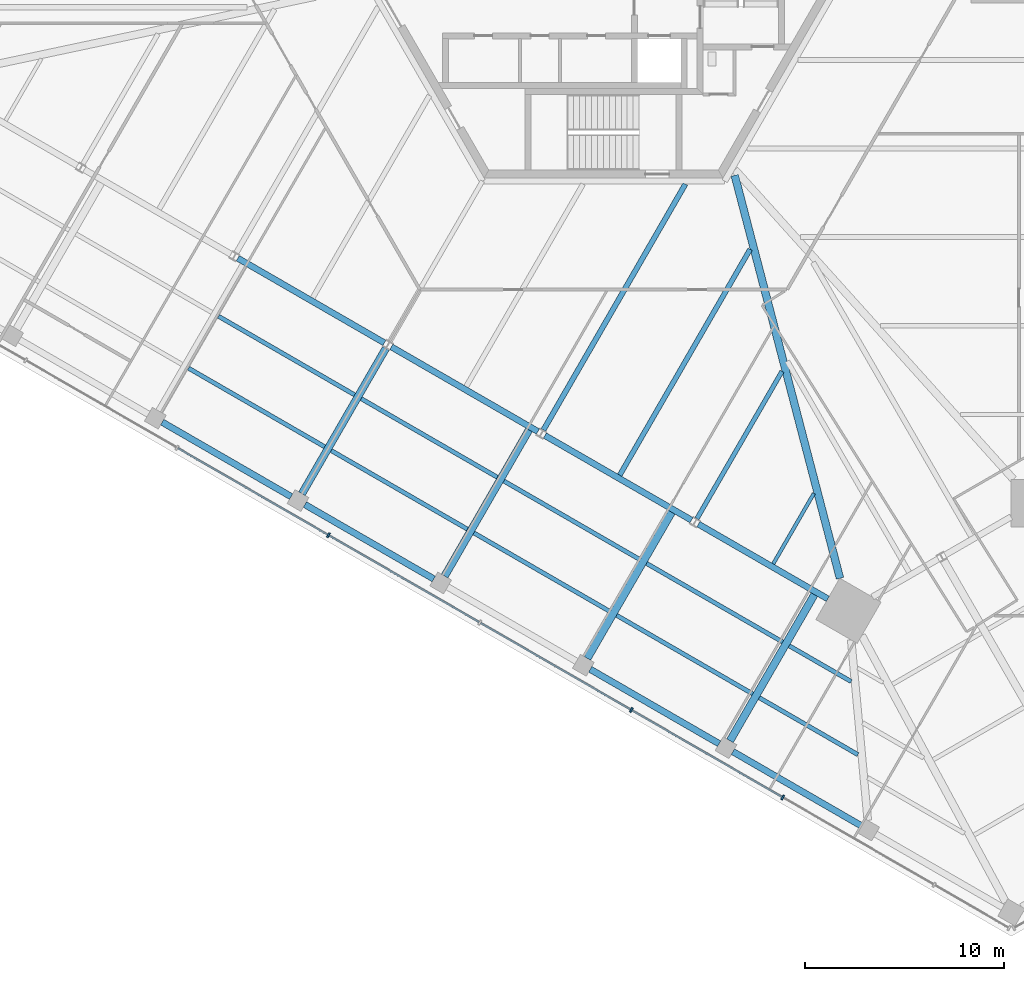
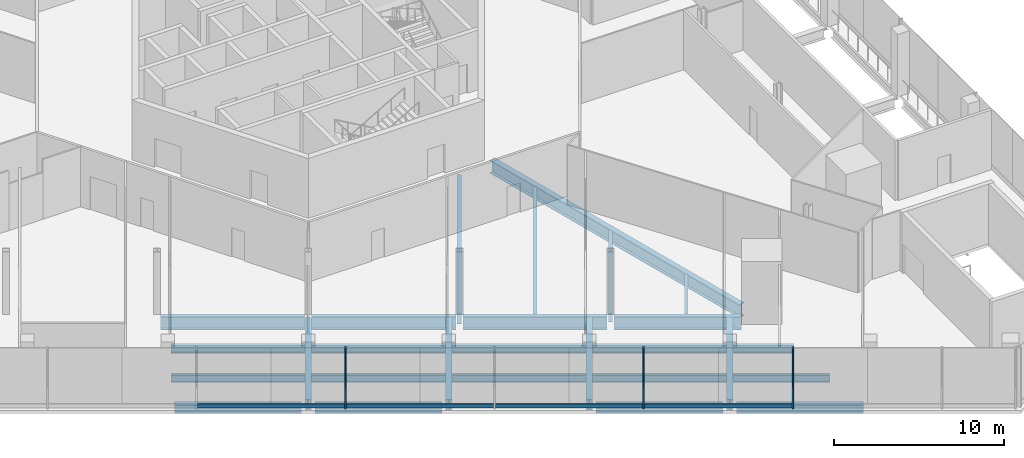
# One storey, part 6 of 25: 27 beams, 7 members, 1 element without a shape of its own.
"""IFC4 building model written with IfcOpenShell, lengths in metres."""

from ifc_helpers import new_model, si_unit, direction, frame, origin, origin_2d, place, context, subcontext, project, spatial, rectangle, i_section, extrude, source, transform, mapped, material, material_profile, profile_set, type_object, element, aggregate, save


model = new_model("IFC4")

# Units and contexts
model_context = context("Model", 3, precision=1e-05, world=origin(), true_north=direction((0.0, 1.0)))
body_context = subcontext(model_context, "Body", "Model", "MODEL_VIEW")
ifc_project = project(units=[si_unit("LENGTHUNIT", "METRE"), si_unit("AREAUNIT", "SQUARE_METRE"), si_unit("VOLUMEUNIT", "CUBIC_METRE"), si_unit("PLANEANGLEUNIT", "RADIAN"), si_unit("MASSUNIT", "GRAM", prefix="KILO")], contexts=[model_context])

# Site, building, storey
site_placement = place(None, origin())
site = spatial("IfcSite", under=ifc_project, at=site_placement, CompositionType="ELEMENT")
building_placement = place(site_placement, origin())
building = spatial("IfcBuilding", under=site, at=building_placement, Name="Triune Harvest Tower", CompositionType="ELEMENT")
storey_placement = place(building_placement, frame((0.0, 0.0, 11.5)))
storey = spatial("IfcBuildingStorey", under=building, at=storey_placement, Name="L02", CompositionType="ELEMENT", Elevation=11.5)

# Beams
ifc_material_1 = material(Name="Steel ASTM A992 Gr 50", Category="steel")
ifc_material_profile_1 = material_profile(ifc_material_1, i_section(OverallWidth=0.309814453125, OverallDepth=0.93212890625, WebThickness=0.02099609375, FlangeThickness=0.034423828125, at=origin_2d()), Name="W36x210")
ifc_profile_set_1 = profile_set([ifc_material_profile_1], Name="Steel ASTM A992 Gr 50")
beam_type_1 = type_object("IfcBeamType", Name="SB-3 Spandrel beam W36x210", PredefinedType="SPANDREL", material=ifc_profile_set_1)
shared_shape_1 = source(origin(), body_context, "Body", "SweptSolid", [
    extrude(i_section(OverallWidth=0.309814453125, OverallDepth=0.93212890625, WebThickness=0.02099609375, FlangeThickness=0.034423828125, at=origin_2d()), origin(), (0.0, 0.0, 1.0), 8.506103515625),
])
for number, where, z_axis, x_axis, name in (
    (1, (-18.381103515625, -14.4208984375, -0.666015625), (0.866017818397, -0.500013138047, 0.0), (0.500013138047, 0.866017818397, 0.0), "beam/L02/SB19"),
    (2, (-10.664794921875, -18.8759765625, -0.666015625), (0.866030246746, -0.49999161165, 0.0), (0.49999161165, 0.866030246746, 0.0), "beam/L02/SB20"),
    (3, (-2.948486328125, -23.3310546875, -0.666015625), (0.866030246746, -0.49999161165, 0.0), (0.49999161165, 0.866030246746, 0.0), "beam/L02/SB21"),
):
    element("IfcBeam", number, at=place(storey_placement, frame(where, z_axis=z_axis, x_axis=x_axis)), inside=storey, type_object=beam_type_1, Name=name, PredefinedType="SPANDREL", context=body_context, shape_type="MappedRepresentation", body=[
        mapped(shared_shape_1, transform((0.0, 0.0, 0.0), scale=1.0)),
    ])
shared_shape_2 = source(origin(), body_context, "Body", "SweptSolid", [
    extrude(i_section(OverallWidth=0.309814453125, OverallDepth=0.93212890625, WebThickness=0.02099609375, FlangeThickness=0.034423828125, at=origin_2d()), origin(), (0.0, 0.0, 1.0), 7.50830078125),
])
beam_1_placement = place(storey_placement, frame((4.767578125, -27.785888671875, -0.666015625), z_axis=(0.866027474485, -0.499996413425, 0.0), x_axis=(0.499996413425, 0.866027474485, 0.0)))
element("IfcBeam", 4, at=beam_1_placement, inside=storey, type_object=beam_type_1, Name="beam/L02/SB22", PredefinedType="SPANDREL", context=body_context, shape_type="MappedRepresentation", body=[
    mapped(shared_shape_2, transform((0.0, 0.0, 0.0), scale=1.0)),
])
ifc_material_2 = material(Name="Steel ASTM A992 Gr 50", Category="steel")
ifc_material_profile_2 = material_profile(ifc_material_2, i_section(OverallWidth=0.383544921875, OverallDepth=0.9423828125, WebThickness=0.022216796875, FlangeThickness=0.039794921875, at=origin_2d()), Name="W36x232")
ifc_profile_set_2 = profile_set([ifc_material_profile_2], Name="Steel ASTM A992 Gr 50")
beam_type_2 = type_object("IfcBeamType", Name="HG-1 Hip girder W36x232", PredefinedType="BEAM", material=ifc_profile_set_2)
shared_shape_3 = source(origin(), body_context, "Body", "SweptSolid", [
    extrude(i_section(OverallWidth=0.383544921875, OverallDepth=0.9423828125, WebThickness=0.022216796875, FlangeThickness=0.039794921875, at=origin_2d()), origin(), (0.0, 0.0, 1.0), 20.931884765625),
])
beam_2_placement = place(storey_placement, frame((11.8828125, -30.50830078125, -0.671142578125), z_axis=(-0.252690148393, 0.967547254094, 0.0), x_axis=(-0.967547254094, -0.252690148393, 0.0)))
element("IfcBeam", 5, at=beam_2_placement, inside=storey, type_object=beam_type_2, Name="beam/L02/HG6", PredefinedType="BEAM", context=body_context, shape_type="MappedRepresentation", body=[
    mapped(shared_shape_3, transform((0.0, 0.0, 0.0), scale=1.0)),
])
ifc_material_3 = material(Name="Steel ASTM A992 Gr 50", Category="steel")
ifc_material_profile_3 = material_profile(ifc_material_3, i_section(OverallWidth=0.2666015625, OverallDepth=0.7568359375, WebThickness=0.013916015625, FlangeThickness=0.019287109375, at=origin_2d()), Name="W30x108")
ifc_profile_set_3 = profile_set([ifc_material_profile_3], Name="Steel ASTM A992 Gr 50")
beam_type_3 = type_object("IfcBeamType", Name="JT-5 Floor joist W30x108", PredefinedType="JOIST", material=ifc_profile_set_3)
shared_shape_4 = source(origin(), body_context, "Body", "SweptSolid", [
    extrude(i_section(OverallWidth=0.2666015625, OverallDepth=0.7568359375, WebThickness=0.013916015625, FlangeThickness=0.019287109375, at=origin_2d()), origin(), (0.0, 0.0, 1.0), 14.2685546875),
])
beam_3_placement = place(storey_placement, frame((-3.02197265625, -23.053955078125, -0.57861328125), z_axis=(0.499999916269, 0.866025452127, 0.0), x_axis=(-0.866025452127, 0.499999916269, 0.0)))
element("IfcBeam", 6, at=beam_3_placement, inside=storey, type_object=beam_type_3, Name="beam/L02/JT34", PredefinedType="JOIST", context=body_context, shape_type="MappedRepresentation", body=[
    mapped(shared_shape_4, transform((0.0, 0.0, 0.0), scale=1.0)),
])
ifc_material_4 = material(Name="Steel ASTM A992 Gr 50", Category="steel")
ifc_material_profile_4 = material_profile(ifc_material_4, i_section(OverallWidth=0.22900390625, OverallDepth=0.612060546875, WebThickness=0.011962890625, FlangeThickness=0.01953125, at=origin_2d()), Name="W24x84")
ifc_profile_set_4 = profile_set([ifc_material_profile_4], Name="Steel ASTM A992 Gr 50")
beam_type_4 = type_object("IfcBeamType", Name="JT-3 Floor joist W24x84", PredefinedType="JOIST", material=ifc_profile_set_4)
shared_shape_5 = source(origin(), body_context, "Body", "SweptSolid", [
    extrude(i_section(OverallWidth=0.22900390625, OverallDepth=0.612060546875, WebThickness=0.011962890625, FlangeThickness=0.01953125, at=origin_2d()), origin(), (0.0, 0.0, 1.0), 8.54736328125),
])
beam_4_placement = place(storey_placement, frame((4.6943359375, -27.509033203125, -0.506103515625), z_axis=(0.499994426748, 0.866028621479, 0.0), x_axis=(-0.866028621479, 0.499994426748, 0.0)))
element("IfcBeam", 7, at=beam_4_placement, inside=storey, type_object=beam_type_4, Name="beam/L02/JT36", PredefinedType="JOIST", context=body_context, shape_type="MappedRepresentation", body=[
    mapped(shared_shape_5, transform((0.0, 0.0, 0.0), scale=1.0)),
])
ifc_material_5 = material(Name="Steel ASTM A992 Gr 50", Category="steel")
ifc_material_profile_5 = material_profile(ifc_material_5, i_section(OverallWidth=0.253662109375, OverallDepth=0.683349609375, WebThickness=0.012451171875, FlangeThickness=0.01904296875, at=origin_2d()), Name="W27x94")
ifc_profile_set_5 = profile_set([ifc_material_profile_5], Name="Steel ASTM A992 Gr 50")
beam_type_5 = type_object("IfcBeamType", Name="JT-4 Floor joist W27x94", PredefinedType="JOIST", material=ifc_profile_set_5)
shared_shape_6 = source(origin(), body_context, "Body", "SweptSolid", [
    extrude(i_section(OverallWidth=0.253662109375, OverallDepth=0.683349609375, WebThickness=0.012451171875, FlangeThickness=0.01904296875, at=origin_2d()), origin(), (0.0, 0.0, 1.0), 13.107421875),
])
beam_5_placement = place(storey_placement, frame((0.81201171875, -25.3232421875, -0.54150390625), z_axis=(0.500015355683, 0.866016537995, 0.0), x_axis=(-0.866016537995, 0.500015355683, 0.0)))
element("IfcBeam", 8, at=beam_5_placement, inside=storey, type_object=beam_type_5, Name="beam/L02/JT35", PredefinedType="JOIST", context=body_context, shape_type="MappedRepresentation", body=[
    mapped(shared_shape_6, transform((0.0, 0.0, 0.0), scale=1.0)),
])
ifc_material_6 = material(Name="Steel ASTM A992 Gr 50", Category="steel")
ifc_material_profile_6 = material_profile(ifc_material_6, i_section(OverallWidth=0.180908203125, OverallDepth=0.41650390625, WebThickness=0.010986328125, FlangeThickness=0.01806640625, at=origin_2d()), Name="W16x57")
ifc_profile_set_6 = profile_set([ifc_material_profile_6], Name="Steel ASTM A992 Gr 50")
beam_type_6 = type_object("IfcBeamType", Name="JT-1 Floor joist W16x57", PredefinedType="JOIST", material=ifc_profile_set_6)
shared_shape_7 = source(origin(), body_context, "Body", "SweptSolid", [
    extrude(i_section(OverallWidth=0.180908203125, OverallDepth=0.41650390625, WebThickness=0.010986328125, FlangeThickness=0.01806640625, at=origin_2d()), origin(), (0.0, 0.0, 1.0), 4.083740234375),
])
beam_6_placement = place(storey_placement, frame((8.5283203125, -29.7783203125, -0.408203125), z_axis=(0.500022597718, 0.866012356593, 0.0), x_axis=(-0.866012356593, 0.500022597718, 0.0)))
element("IfcBeam", 9, at=beam_6_placement, inside=storey, type_object=beam_type_6, Name="beam/L02/JT37", PredefinedType="JOIST", context=body_context, shape_type="MappedRepresentation", body=[
    mapped(shared_shape_7, transform((0.0, 0.0, 0.0), scale=1.0)),
])
ifc_material_7 = material(Name="Steel ASTM A992 Gr 50", Category="steel")
ifc_material_profile_7 = material_profile(ifc_material_7, i_section(OverallWidth=0.32763671875, OverallDepth=0.62744140625, WebThickness=0.0166015625, FlangeThickness=0.027587890625, at=origin_2d()), Name="W24x146")
ifc_profile_set_7 = profile_set([ifc_material_profile_7], Name="Steel ASTM A992 Gr 50")
beam_type_7 = type_object("IfcBeamType", Name="PD-4 Podium edge beam W24x146", PredefinedType="BEAM", material=ifc_profile_set_7)
shared_shape_8 = source(origin(), body_context, "Body", "SweptSolid", [
    extrude(i_section(OverallWidth=0.32763671875, OverallDepth=0.62744140625, WebThickness=0.0166015625, FlangeThickness=0.027587890625, at=origin_2d()), origin(), (0.0, 0.0, 1.0), 7.47998046875),
])
for number, where, z_axis, x_axis, name in (
    (10, (-22.181884765625, -22.659912109375, -0.513671875), (0.866023067432, -0.500004046659, 0.0), (0.500004046659, 0.866023067432, 0.0), "beam/L02/PE30"),
    (11, (6.5009765625, -39.219970703125, -0.513671875), (0.866023067432, -0.500004046659, 0.0), (0.500004046659, 0.866023067432, 0.0), "beam/L02/PE34"),
):
    element("IfcBeam", number, at=place(storey_placement, frame(where, z_axis=z_axis, x_axis=x_axis)), inside=storey, type_object=beam_type_7, Name=name, PredefinedType="BEAM", context=body_context, shape_type="MappedRepresentation", body=[
        mapped(shared_shape_8, transform((0.0, 0.0, 0.0), scale=1.0)),
    ])
shared_shape_9 = source(origin(), body_context, "Body", "SweptSolid", [
    extrude(i_section(OverallWidth=0.32763671875, OverallDepth=0.62744140625, WebThickness=0.0166015625, FlangeThickness=0.027587890625, at=origin_2d()), origin(), (0.0, 0.0, 1.0), 7.480224609375),
])
for number, where, z_axis, x_axis, name in (
    (12, (-15.01123046875, -26.800048828125, -0.513671875), (0.866031227086, -0.49998991361, 0.0), (0.49998991361, 0.866031227086, 0.0), "beam/L02/PE31"),
    (13, (-0.669921875, -35.080078125, -0.513671875), (0.866031227086, -0.49998991361, 0.0), (0.49998991361, 0.866031227086, 0.0), "beam/L02/PE33"),
):
    element("IfcBeam", number, at=place(storey_placement, frame(where, z_axis=z_axis, x_axis=x_axis)), inside=storey, type_object=beam_type_7, Name=name, PredefinedType="BEAM", context=body_context, shape_type="MappedRepresentation", body=[
        mapped(shared_shape_9, transform((0.0, 0.0, 0.0), scale=1.0)),
    ])
ifc_material_8 = material(Name="Steel ASTM A992 Gr 50", Category="steel")
ifc_material_profile_8 = material_profile(ifc_material_8, i_section(OverallWidth=0.381103515625, OverallDepth=0.772216796875, WebThickness=0.0166015625, FlangeThickness=0.027099609375, at=origin_2d()), Name="W30x173")
ifc_profile_set_8 = profile_set([ifc_material_profile_8], Name="Steel ASTM A992 Gr 50")
beam_type_8 = type_object("IfcBeamType", Name="PD-3 Podium girder W30x173", PredefinedType="BEAM", material=ifc_profile_set_8)
shared_shape_10 = source(origin(), body_context, "Body", "SweptSolid", [
    extrude(i_section(OverallWidth=0.381103515625, OverallDepth=0.772216796875, WebThickness=0.0166015625, FlangeThickness=0.027099609375, at=origin_2d()), origin(), (0.0, 0.0, 1.0), 8.480712890625),
])
for number, where, z_axis, x_axis, name in (
    (14, (-0.816162109375, -34.53369140625, -0.586181640625), (0.499990755813, 0.866030740852, 0.0), (-0.866030740852, 0.499990755813, 0.0), "beam/L02/PR35"),
    (15, (6.3544921875, -38.673583984375, -0.586181640625), (0.499990755813, 0.866030740852, 0.0), (-0.866030740852, 0.499990755813, 0.0), "beam/L02/PR36"),
):
    element("IfcBeam", number, at=place(storey_placement, frame(where, z_axis=z_axis, x_axis=x_axis)), inside=storey, type_object=beam_type_8, Name=name, PredefinedType="BEAM", context=body_context, shape_type="MappedRepresentation", body=[
        mapped(shared_shape_10, transform((0.0, 0.0, 0.0), scale=1.0)),
    ])
shared_shape_11 = source(origin(), body_context, "Body", "SweptSolid", [
    extrude(i_section(OverallWidth=0.381103515625, OverallDepth=0.772216796875, WebThickness=0.0166015625, FlangeThickness=0.027099609375, at=origin_2d()), origin(), (0.0, 0.0, 1.0), 8.48046875),
])
beam_7_placement = place(storey_placement, frame((-7.98681640625, -30.3935546875, -0.586181640625), z_axis=(0.500003221507, 0.866023543838, 0.0), x_axis=(-0.866023543838, 0.500003221507, 0.0)))
element("IfcBeam", 16, at=beam_7_placement, inside=storey, type_object=beam_type_8, Name="beam/L02/PR34", PredefinedType="BEAM", context=body_context, shape_type="MappedRepresentation", body=[
    mapped(shared_shape_11, transform((0.0, 0.0, 0.0), scale=1.0)),
])
shared_shape_12 = source(origin(), body_context, "Body", "SweptSolid", [
    extrude(i_section(OverallWidth=0.381103515625, OverallDepth=0.772216796875, WebThickness=0.0166015625, FlangeThickness=0.027099609375, at=origin_2d()), origin(), (0.0, 0.0, 1.0), 8.4326171875),
])
beam_8_placement = place(storey_placement, frame((-15.15771484375, -26.253662109375, -0.586181640625), z_axis=(0.500006487071, 0.86602165844, 0.0), x_axis=(-0.86602165844, 0.500006487071, 0.0)))
element("IfcBeam", 17, at=beam_8_placement, inside=storey, type_object=beam_type_8, Name="beam/L02/PR33", PredefinedType="BEAM", context=body_context, shape_type="MappedRepresentation", body=[
    mapped(shared_shape_12, transform((0.0, 0.0, 0.0), scale=1.0)),
])
ifc_material_9 = material(Name="Steel ASTM A992 Gr 50", Category="steel")
ifc_material_profile_9 = material_profile(ifc_material_9, i_section(OverallWidth=0.2138671875, OverallDepth=0.548583984375, WebThickness=0.0146484375, FlangeThickness=0.023681640625, at=origin_2d()), Name="W21x93")
ifc_profile_set_9 = profile_set([ifc_material_profile_9], Name="Steel ASTM A992 Gr 50")
beam_type_9 = type_object("IfcBeamType", Name="PD-5 Podium joist W21x93", PredefinedType="JOIST", material=ifc_profile_set_9)
shared_shape_13 = source(origin(), body_context, "Body", "SweptSolid", [
    extrude(i_section(OverallWidth=0.2138671875, OverallDepth=0.548583984375, WebThickness=0.0146484375, FlangeThickness=0.023681640625, at=origin_2d()), origin(), (0.0, 0.0, 1.0), 3.59619140625),
])
beam_9_placement = place(storey_placement, frame((9.331298828125, -33.898681640625, -0.474365234375), z_axis=(0.866062364587, -0.499935976547, 0.0), x_axis=(0.499935976547, 0.866062364587, 0.0)))
element("IfcBeam", 18, at=beam_9_placement, inside=storey, type_object=beam_type_9, Name="beam/L02/PJ74", PredefinedType="JOIST", context=body_context, shape_type="MappedRepresentation", body=[
    mapped(shared_shape_13, transform((0.0, 0.0, 0.0), scale=1.0)),
])
shared_shape_14 = source(origin(), body_context, "Body", "SweptSolid", [
    extrude(i_section(OverallWidth=0.2138671875, OverallDepth=0.548583984375, WebThickness=0.0146484375, FlangeThickness=0.023681640625, at=origin_2d()), origin(), (0.0, 0.0, 1.0), 7.89892578125),
])
for number, where, z_axis, x_axis, name in (
    (19, (-19.351318359375, -17.338623046875, -0.474365234375), (0.866022421773, -0.50000516496, 0.0), (0.50000516496, 0.866022421773, 0.0), "beam/L02/PJ66"),
    (20, (0.65478515625, -32.366943359375, -0.474365234375), (0.866022421773, -0.50000516496, 0.0), (0.50000516496, 0.866022421773, 0.0), "beam/L02/PJ71"),
):
    element("IfcBeam", number, at=place(storey_placement, frame(where, z_axis=z_axis, x_axis=x_axis)), inside=storey, type_object=beam_type_9, Name=name, PredefinedType="JOIST", context=body_context, shape_type="MappedRepresentation", body=[
        mapped(shared_shape_14, transform((0.0, 0.0, 0.0), scale=1.0)),
    ])
shared_shape_15 = source(origin(), body_context, "Body", "SweptSolid", [
    extrude(i_section(OverallWidth=0.2138671875, OverallDepth=0.548583984375, WebThickness=0.0146484375, FlangeThickness=0.023681640625, at=origin_2d()), origin(), (0.0, 0.0, 1.0), 7.899169921875),
])
for number, where, z_axis, x_axis, name in (
    (21, (-20.857421875, -19.947021484375, -0.474365234375), (0.866030148722, -0.499991781437, 0.0), (0.499991781437, 0.866030148722, 0.0), "beam/L02/PJ65"),
    (22, (-13.686767578125, -24.0869140625, -0.474365234375), (0.866030148722, -0.499991781437, 0.0), (0.499991781437, 0.866030148722, 0.0), "beam/L02/PJ67"),
    (23, (-12.180908203125, -21.478515625, -0.474365234375), (0.866030148722, -0.499991781437, 0.0), (0.499991781437, 0.866030148722, 0.0), "beam/L02/PJ68"),
    (24, (-6.51611328125, -28.226806640625, -0.474365234375), (0.866016765394, -0.500014961832, 0.0), (0.500014961832, 0.866016765394, 0.0), "beam/L02/PJ69"),
    (25, (-5.010009765625, -25.61865234375, -0.474365234375), (0.866030148722, -0.499991781437, 0.0), (0.499991781437, 0.866030148722, 0.0), "beam/L02/PJ70"),
    (26, (2.16064453125, -29.758544921875, -0.474365234375), (0.866030148722, -0.499991781437, 0.0), (0.499991781437, 0.866030148722, 0.0), "beam/L02/PJ72"),
):
    element("IfcBeam", number, at=place(storey_placement, frame(where, z_axis=z_axis, x_axis=x_axis)), inside=storey, type_object=beam_type_9, Name=name, PredefinedType="JOIST", context=body_context, shape_type="MappedRepresentation", body=[
        mapped(shared_shape_15, transform((0.0, 0.0, 0.0), scale=1.0)),
    ])
shared_shape_16 = source(origin(), body_context, "Body", "SweptSolid", [
    extrude(i_section(OverallWidth=0.2138671875, OverallDepth=0.548583984375, WebThickness=0.0146484375, FlangeThickness=0.023681640625, at=origin_2d()), origin(), (0.0, 0.0, 1.0), 5.726318359375),
])
beam_10_placement = place(storey_placement, frame((7.825439453125, -36.5068359375, -0.474365234375), z_axis=(0.866009501729, -0.500027542156, 0.0), x_axis=(0.500027542156, 0.866009501729, 0.0)))
element("IfcBeam", 27, at=beam_10_placement, inside=storey, type_object=beam_type_9, Name="beam/L02/PJ73", PredefinedType="JOIST", context=body_context, shape_type="MappedRepresentation", body=[
    mapped(shared_shape_16, transform((0.0, 0.0, 0.0), scale=1.0)),
])

# Curtain wall, members
ifc_material_10 = material(Name="Aluminium bronze anodised", Category="aluminium")
curtain_wall_type = type_object("IfcCurtainWallType", Name="CW-2 Podium shopfront wall", PredefinedType="NOTDEFINED", material=ifc_material_10)
curtain_wall_placement = place(storey_placement, origin())
curtain_wall = element("IfcCurtainWall", 28, at=curtain_wall_placement, inside=storey, type_object=curtain_wall_type, Name="CW-2 PD-F5 L02 run 1")
ifc_material_11 = material(Name="Aluminium bronze anodised", Category="aluminium")
ifc_material_profile_10 = material_profile(ifc_material_11, rectangle(XDim=0.25, YDim=0.090087890625, at=origin_2d()), Name="MU-2 mullion 90 x 250")
ifc_profile_set_10 = profile_set([ifc_material_profile_10], Name="Aluminium bronze anodised")
member_type_1 = type_object("IfcMemberType", Name="MU-2 mullion 90 x 250", PredefinedType="MULLION", material=ifc_profile_set_10)
shared_shape_17 = source(origin(), body_context, "Body", "SweptSolid", [
    extrude(rectangle(XDim=0.25, YDim=0.090087890625, at=origin_2d()), origin(), (0.0, 0.0, 1.0), 4.300048828125),
])
member_1_placement = place(storey_placement, frame((-13.82470703125, -28.338623046875, 0.0), z_axis=(0.0, 0.0, 1.0), x_axis=(0.500000221117, 0.866025276122, 0.0)))
member_1 = element("IfcMember", 29, at=member_1_placement, type_object=member_type_1, Name="CW-2 mullion PD-F5 1.11", PredefinedType="MULLION", context=body_context, shape_type="MappedRepresentation", body=[
    mapped(shared_shape_17, transform((0.0, 0.0, 0.0), scale=1.0)),
])
member_2_placement = place(storey_placement, frame((1.394287109375, -37.125244140625, 0.0), z_axis=(0.0, 0.0, 1.0), x_axis=(0.500000221117, 0.866025276122, 0.0)))
member_2 = element("IfcMember", 30, at=member_2_placement, type_object=member_type_1, Name="CW-2 mullion PD-F5 1.15", PredefinedType="MULLION", context=body_context, shape_type="MappedRepresentation", body=[
    mapped(shared_shape_17, transform((0.0, 0.0, 0.0), scale=1.0)),
])
member_3_placement = place(storey_placement, frame((9.003662109375, -41.5185546875, 0.0), z_axis=(0.0, 0.0, 1.0), x_axis=(0.500000221117, 0.866025276122, 0.0)))
member_3 = element("IfcMember", 31, at=member_3_placement, type_object=member_type_1, Name="CW-2 mullion PD-F5 1.17", PredefinedType="MULLION", context=body_context, shape_type="MappedRepresentation", body=[
    mapped(shared_shape_17, transform((0.0, 0.0, 0.0), scale=1.0)),
])
ifc_material_12 = material(Name="Aluminium bronze anodised", Category="aluminium")
ifc_material_profile_11 = material_profile(ifc_material_12, rectangle(XDim=0.10009765625, YDim=0.300048828125, at=origin_2d()), Name="TR-2 transom 100 x 300")
ifc_profile_set_11 = profile_set([ifc_material_profile_11], Name="Aluminium bronze anodised")
member_type_2 = type_object("IfcMemberType", Name="TR-2 transom 100 x 300", PredefinedType="USERDEFINED", material=ifc_profile_set_11)
shared_shape_18 = source(origin(), body_context, "Body", "SweptSolid", [
    extrude(rectangle(XDim=0.10009765625, YDim=0.300048828125, at=origin_2d()), origin(), (0.0, 0.0, 1.0), 8.696533203125),
])
member_4_placement = place(storey_placement, frame((-21.395263671875, -23.9677734375, 0.14990234375), z_axis=(0.866033651025, -0.499985715088, 0.0), x_axis=(0.499985715088, 0.866033651025, 0.0)))
member_4 = element("IfcMember", 32, at=member_4_placement, type_object=member_type_2, Name="CW-2 transom PD-F5 1.5", ObjectType="TRANSOM", PredefinedType="USERDEFINED", context=body_context, shape_type="MappedRepresentation", body=[
    mapped(shared_shape_18, transform((0.0, 0.0, 0.0), scale=1.0)),
])
shared_shape_19 = source(origin(), body_context, "Body", "SweptSolid", [
    extrude(rectangle(XDim=0.10009765625, YDim=0.300048828125, at=origin_2d()), origin(), (0.0, 0.0, 1.0), 8.69677734375),
])
member_5_placement = place(storey_placement, frame((-13.785888671875, -28.361083984375, 0.14990234375), z_axis=(0.866028513234, -0.499994614237, 0.0), x_axis=(0.499994614237, 0.866028513234, 0.0)))
member_5 = element("IfcMember", 33, at=member_5_placement, type_object=member_type_2, Name="CW-2 transom PD-F5 1.6", ObjectType="TRANSOM", PredefinedType="USERDEFINED", context=body_context, shape_type="MappedRepresentation", body=[
    mapped(shared_shape_19, transform((0.0, 0.0, 0.0), scale=1.0)),
])
member_6_placement = place(storey_placement, frame((-6.17626953125, -32.75439453125, 0.14990234375), z_axis=(0.86602149507, -0.500006770031, 0.0), x_axis=(0.500006770031, 0.86602149507, 0.0)))
member_6 = element("IfcMember", 34, at=member_6_placement, type_object=member_type_2, Name="CW-2 transom PD-F5 1.7", ObjectType="TRANSOM", PredefinedType="USERDEFINED", context=body_context, shape_type="MappedRepresentation", body=[
    mapped(shared_shape_19, transform((0.0, 0.0, 0.0), scale=1.0)),
])
member_7_placement = place(storey_placement, frame((1.43310546875, -37.147705078125, 0.14990234375), z_axis=(0.866028513234, -0.499994614237, 0.0), x_axis=(0.499994614237, 0.866028513234, 0.0)))
member_7 = element("IfcMember", 35, at=member_7_placement, type_object=member_type_2, Name="CW-2 transom PD-F5 1.8", ObjectType="TRANSOM", PredefinedType="USERDEFINED", context=body_context, shape_type="MappedRepresentation", body=[
    mapped(shared_shape_19, transform((0.0, 0.0, 0.0), scale=1.0)),
])
aggregate(curtain_wall, [member_1, member_2, member_3, member_4, member_5, member_6, member_7])

save(model, "model.ifc")
